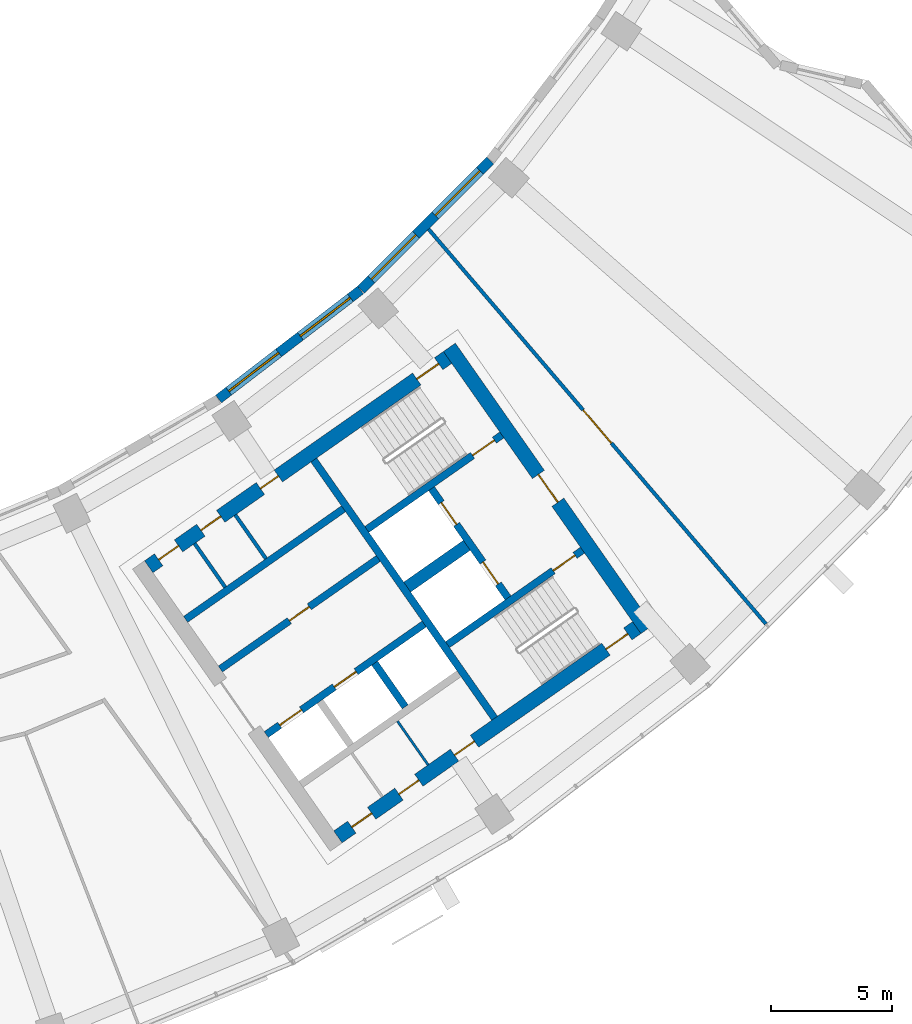
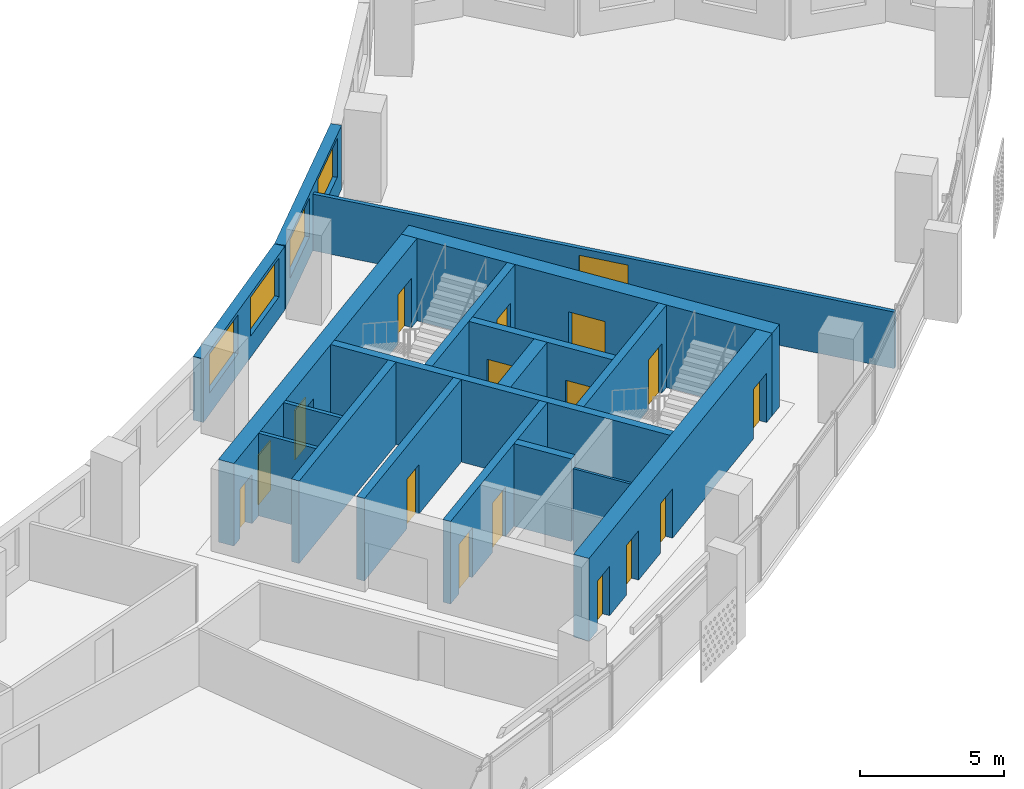
# One storey, part 7 of 26: 18 walls, 17 doors, 4 windows, 21 openings.
"""IFC4 building model written with IfcOpenShell, lengths in metres."""

from ifc_helpers import new_model, si_unit, direction, frame, frame_2d, origin, place, context, subcontext, project, spatial, rectangle, extrude, material, layer, layer_set, type_object, element, fill, save


model = new_model("IFC4")

# Units and contexts
model_context = context("Model", 3, precision=1e-05, world=origin(), true_north=direction((0.0, 1.0)))
body_context = subcontext(model_context, "Body", "Model", "MODEL_VIEW")
ifc_project = project(units=[si_unit("LENGTHUNIT", "METRE"), si_unit("AREAUNIT", "SQUARE_METRE"), si_unit("VOLUMEUNIT", "CUBIC_METRE"), si_unit("PLANEANGLEUNIT", "RADIAN"), si_unit("MASSUNIT", "GRAM", prefix="KILO")], contexts=[model_context])

# Site, building, storey
site_placement = place(None, origin())
site = spatial("IfcSite", under=ifc_project, at=site_placement, CompositionType="ELEMENT")
building_placement = place(site_placement, origin())
building = spatial("IfcBuilding", under=site, at=building_placement, Name="Qamariyya Broadcast Tower", CompositionType="ELEMENT")
storey_placement = place(building_placement, frame((0.0, 0.0, 183.5)))
storey = spatial("IfcBuildingStorey", under=building, at=storey_placement, Name="L43", CompositionType="ELEMENT", Elevation=183.5)

# Wall, opening, door
ifc_material_1 = material(Name="Concrete C60/75", Category="concrete")
ifc_layer_1 = layer(ifc_material_1, 0.60009765625)
ifc_layer_set_1 = layer_set([ifc_layer_1], Name="Core wall 600 mm Concrete C60/75")
wall_type_1 = type_object("IfcWallType", Name="Core wall 600 mm Concrete C60/75", PredefinedType="SHEAR", material=ifc_layer_set_1)
wall_1_placement = place(storey_placement, frame((49.4833984375, -57.031494140625, 0.0), z_axis=(0.0, 0.0, 1.0), x_axis=(-0.573560421458, 0.819163257805, 0.0)))
wall_1 = element("IfcWall", 1, at=wall_1_placement, inside=storey, type_object=wall_type_1, Name="k-E-L43-WH", PredefinedType="SHEAR", context=body_context, shape_type="SweptSolid", body=[
    extrude(rectangle(XDim=14.199951171875, YDim=0.60009765625, at=frame_2d((7.10009765625, 0.0))), origin(), (0.0, 0.0, 1.0), 3.5),
])
opening_1_placement = place(wall_1_placement, frame((6.39990234375, 0.0, 0.0)))
opening_1 = element("IfcOpeningElement", 2, at=opening_1_placement, cuts=wall_1, Name="Opening KD2-E1", PredefinedType="OPENING", context=body_context, shape_type="SweptSolid", body=[
    extrude(rectangle(XDim=1.39990234375, YDim=2.10009765625, at=frame_2d((0.699951171875, 1.050048828125))), frame((0.0, 0.31005859375, 0.0), z_axis=(0.0, -1.0, 0.0), x_axis=(1.0, 0.0, 0.0)), (0.0, 0.0, 1.0), 0.6201171875),
])
ifc_material_2 = material(Name="Steel fire-resisting door leaf", Category="steel")
door_type_1 = type_object("IfcDoorType", Name="Fire-fighting lobby door KD2", OperationType="DOUBLE_DOOR_SINGLE_SWING", PredefinedType="DOOR", material=ifc_material_2)
door_1_placement = place(opening_1_placement, origin())
door_1 = element("IfcDoor", 3, at=door_1_placement, inside=storey, type_object=door_type_1, Name="k-E-L43-WH-D13", OperationType="DOUBLE_DOOR_SINGLE_SWING", OverallHeight=2.10009765625, OverallWidth=1.39990234375, PredefinedType="DOOR", context=body_context, shape_type="SweptSolid", body=[
    extrude(rectangle(XDim=1.39990234375, YDim=2.10009765625, at=frame_2d((0.699951171875, 1.050048828125))), frame((0.0, 0.02490234375, 0.0), z_axis=(0.0, -1.0, 0.0), x_axis=(1.0, 0.0, 0.0)), (0.0, 0.0, 1.0), 0.050048828125),
])
fill(opening_1, door_1)

# Wall, openings, doors
wall_2_placement = place(storey_placement, frame((28.940673828125, -54.447021484375, 0.0), z_axis=(0.0, 0.0, 1.0), x_axis=(0.819153391756, 0.573574511963, 0.0)))
wall_2 = element("IfcWall", 4, at=wall_2_placement, inside=storey, type_object=wall_type_1, Name="k-E-L43-WI", PredefinedType="SHEAR", context=body_context, shape_type="SweptSolid", body=[
    extrude(rectangle(XDim=15.04541015625, YDim=0.60009765625, at=frame_2d((7.522705078125, 0.0))), origin(), (0.0, 0.0, 1.0), 3.5),
])
opening_2_placement = place(wall_2_placement, frame((0.5, 0.0, 0.0)))
opening_2 = element("IfcOpeningElement", 5, at=opening_2_placement, cuts=wall_2, Name="Opening KD6-E2", PredefinedType="OPENING", context=body_context, shape_type="SweptSolid", body=[
    extrude(rectangle(XDim=1.0, YDim=2.10009765625, at=frame_2d((0.5, 1.050048828125))), frame((0.0, 0.31005859375, 0.0), z_axis=(0.0, -1.0, 0.0), x_axis=(1.0, 0.0, 0.0)), (0.0, 0.0, 1.0), 0.6201171875),
])
opening_3_placement = place(wall_2_placement, frame((2.625, 0.0, 0.0)))
opening_3 = element("IfcOpeningElement", 6, at=opening_3_placement, cuts=wall_2, Name="Opening KD7-E1", PredefinedType="OPENING", context=body_context, shape_type="SweptSolid", body=[
    extrude(rectangle(XDim=1.0, YDim=2.10009765625, at=frame_2d((0.5, 1.050048828125))), frame((0.0, 0.31005859375, 0.0), z_axis=(0.0, -1.0, 0.0), x_axis=(1.0, 0.0, 0.0)), (0.0, 0.0, 1.0), 0.6201171875),
])
opening_4_placement = place(wall_2_placement, frame((5.625, 0.0, 0.0)))
opening_4 = element("IfcOpeningElement", 7, at=opening_4_placement, cuts=wall_2, Name="Opening KD5-E1", PredefinedType="OPENING", context=body_context, shape_type="SweptSolid", body=[
    extrude(rectangle(XDim=0.89990234375, YDim=2.10009765625, at=frame_2d((0.449951171875, 1.050048828125))), frame((0.0, 0.31005859375, 0.0), z_axis=(0.0, -1.0, 0.0), x_axis=(1.0, 0.0, 0.0)), (0.0, 0.0, 1.0), 0.6201171875),
])
opening_5_placement = place(wall_2_placement, frame((13.495361328125, 0.0, 0.0)))
opening_5 = element("IfcOpeningElement", 8, at=opening_5_placement, cuts=wall_2, Name="Opening KD1-E1", PredefinedType="OPENING", context=body_context, shape_type="SweptSolid", body=[
    extrude(rectangle(XDim=1.10009765625, YDim=2.10009765625, at=frame_2d((0.550048828125, 1.050048828125))), frame((0.0, 0.31005859375, 0.0), z_axis=(0.0, -1.0, 0.0), x_axis=(1.0, 0.0, 0.0)), (0.0, 0.0, 1.0), 0.6201171875),
])
door_type_2 = type_object("IfcDoorType", Name="Accessible toilet door KD7", OperationType="SINGLE_SWING_LEFT", PredefinedType="DOOR", material=ifc_material_2)
door_2_placement = place(opening_3_placement, origin())
door_2 = element("IfcDoor", 9, at=door_2_placement, inside=storey, type_object=door_type_2, Name="k-E-L43-WI-D6", OperationType="SINGLE_SWING_RIGHT", OverallHeight=2.10009765625, OverallWidth=1.0, PredefinedType="DOOR", context=body_context, shape_type="SweptSolid", body=[
    extrude(rectangle(XDim=1.0, YDim=2.10009765625, at=frame_2d((0.5, 1.050048828125))), frame((0.0, 0.02490234375, 0.0), z_axis=(0.0, -1.0, 0.0), x_axis=(1.0, 0.0, 0.0)), (0.0, 0.0, 1.0), 0.050048828125),
])
fill(opening_3, door_2)
door_type_3 = type_object("IfcDoorType", Name="Core room door KD6", OperationType="SINGLE_SWING_LEFT", PredefinedType="DOOR", material=ifc_material_2)
door_3_placement = place(opening_2_placement, origin())
door_3 = element("IfcDoor", 10, at=door_3_placement, inside=storey, type_object=door_type_3, Name="k-E-L43-WI-D5", OperationType="SINGLE_SWING_LEFT", OverallHeight=2.10009765625, OverallWidth=1.0, PredefinedType="DOOR", context=body_context, shape_type="SweptSolid", body=[
    extrude(rectangle(XDim=1.0, YDim=2.10009765625, at=frame_2d((0.5, 1.050048828125))), frame((0.0, 0.02490234375, 0.0), z_axis=(0.0, -1.0, 0.0), x_axis=(1.0, 0.0, 0.0)), (0.0, 0.0, 1.0), 0.050048828125),
])
fill(opening_2, door_3)
door_type_4 = type_object("IfcDoorType", Name="Stair door KD1", OperationType="SINGLE_SWING_LEFT", PredefinedType="DOOR", material=ifc_material_2)
door_4_placement = place(opening_5_placement, origin())
door_4 = element("IfcDoor", 11, at=door_4_placement, inside=storey, type_object=door_type_4, Name="k-E-L43-WI-D14", OperationType="SINGLE_SWING_RIGHT", OverallHeight=2.10009765625, OverallWidth=1.10009765625, PredefinedType="DOOR", context=body_context, shape_type="SweptSolid", body=[
    extrude(rectangle(XDim=1.10009765625, YDim=2.10009765625, at=frame_2d((0.550048828125, 1.050048828125))), frame((0.0, 0.02490234375, 0.0), z_axis=(0.0, -1.0, 0.0), x_axis=(1.0, 0.0, 0.0)), (0.0, 0.0, 1.0), 0.050048828125),
])
fill(opening_5, door_4)
door_type_5 = type_object("IfcDoorType", Name="Toilet door KD5", OperationType="SINGLE_SWING_LEFT", PredefinedType="DOOR", material=ifc_material_2)
door_5_placement = place(opening_4_placement, origin())
door_5 = element("IfcDoor", 12, at=door_5_placement, inside=storey, type_object=door_type_5, Name="k-E-L43-WI-D7", OperationType="SINGLE_SWING_LEFT", OverallHeight=2.10009765625, OverallWidth=0.89990234375, PredefinedType="DOOR", context=body_context, shape_type="SweptSolid", body=[
    extrude(rectangle(XDim=0.89990234375, YDim=2.10009765625, at=frame_2d((0.449951171875, 1.050048828125))), frame((0.0, 0.02490234375, 0.0), z_axis=(0.0, -1.0, 0.0), x_axis=(1.0, 0.0, 0.0)), (0.0, 0.0, 1.0), 0.050048828125),
])
fill(opening_4, door_5)

wall_3_placement = place(storey_placement, frame((36.7412109375, -65.58740234375, 0.0), z_axis=(0.0, 0.0, 1.0), x_axis=(0.819153391756, 0.573574511963, 0.0)))
wall_3 = element("IfcWall", 13, at=wall_3_placement, inside=storey, type_object=wall_type_1, Name="k-E-L43-WO", PredefinedType="SHEAR", context=body_context, shape_type="SweptSolid", body=[
    extrude(rectangle(XDim=15.04541015625, YDim=0.60009765625, at=frame_2d((7.522705078125, 0.0))), origin(), (0.0, 0.0, 1.0), 3.5),
])
opening_6_placement = place(wall_3_placement, frame((0.699951171875, 0.0, 0.0)))
opening_6 = element("IfcOpeningElement", 14, at=opening_6_placement, cuts=wall_3, Name="Opening KD6-E3", PredefinedType="OPENING", context=body_context, shape_type="SweptSolid", body=[
    extrude(rectangle(XDim=1.0, YDim=2.10009765625, at=frame_2d((0.5, 1.050048828125))), frame((0.0, 0.31005859375, 0.0), z_axis=(0.0, -1.0, 0.0), x_axis=(1.0, 0.0, 0.0)), (0.0, 0.0, 1.0), 0.6201171875),
])
opening_7_placement = place(wall_3_placement, frame((3.074951171875, 0.0, 0.0)))
opening_7 = element("IfcOpeningElement", 15, at=opening_7_placement, cuts=wall_3, Name="Opening KD4-E1", PredefinedType="OPENING", context=body_context, shape_type="SweptSolid", body=[
    extrude(rectangle(XDim=1.0, YDim=2.10009765625, at=frame_2d((0.5, 1.050048828125))), frame((0.0, 0.31005859375, 0.0), z_axis=(0.0, -1.0, 0.0), x_axis=(1.0, 0.0, 0.0)), (0.0, 0.0, 1.0), 0.6201171875),
])
opening_8_placement = place(wall_3_placement, frame((5.875, 0.0, 0.0)))
opening_8 = element("IfcOpeningElement", 16, at=opening_8_placement, cuts=wall_3, Name="Opening KD4-E2", PredefinedType="OPENING", context=body_context, shape_type="SweptSolid", body=[
    extrude(rectangle(XDim=1.0, YDim=2.10009765625, at=frame_2d((0.5, 1.050048828125))), frame((0.0, 0.31005859375, 0.0), z_axis=(0.0, -1.0, 0.0), x_axis=(1.0, 0.0, 0.0)), (0.0, 0.0, 1.0), 0.6201171875),
])
opening_9_placement = place(wall_3_placement, frame((13.495361328125, 0.0, 0.0)))
opening_9 = element("IfcOpeningElement", 17, at=opening_9_placement, cuts=wall_3, Name="Opening KD1-E3", PredefinedType="OPENING", context=body_context, shape_type="SweptSolid", body=[
    extrude(rectangle(XDim=1.10009765625, YDim=2.10009765625, at=frame_2d((0.550048828125, 1.050048828125))), frame((0.0, 0.31005859375, 0.0), z_axis=(0.0, -1.0, 0.0), x_axis=(1.0, 0.0, 0.0)), (0.0, 0.0, 1.0), 0.6201171875),
])
door_6_placement = place(opening_6_placement, origin())
door_6 = element("IfcDoor", 18, at=door_6_placement, inside=storey, type_object=door_type_3, Name="k-E-L43-WO-D8", OperationType="SINGLE_SWING_RIGHT", OverallHeight=2.10009765625, OverallWidth=1.0, PredefinedType="DOOR", context=body_context, shape_type="SweptSolid", body=[
    extrude(rectangle(XDim=1.0, YDim=2.10009765625, at=frame_2d((0.5, 1.050048828125))), frame((0.0, 0.02490234375, 0.0), z_axis=(0.0, -1.0, 0.0), x_axis=(1.0, 0.0, 0.0)), (0.0, 0.0, 1.0), 0.050048828125),
])
fill(opening_6, door_6)
door_type_6 = type_object("IfcDoorType", Name="Riser and plant door KD4", OperationType="SINGLE_SWING_LEFT", PredefinedType="DOOR", material=ifc_material_2)
door_7_placement = place(opening_7_placement, origin())
door_7 = element("IfcDoor", 19, at=door_7_placement, inside=storey, type_object=door_type_6, Name="k-E-L43-WO-D9", OperationType="SINGLE_SWING_LEFT", OverallHeight=2.10009765625, OverallWidth=1.0, PredefinedType="DOOR", context=body_context, shape_type="SweptSolid", body=[
    extrude(rectangle(XDim=1.0, YDim=2.10009765625, at=frame_2d((0.5, 1.050048828125))), frame((0.0, 0.02490234375, 0.0), z_axis=(0.0, -1.0, 0.0), x_axis=(1.0, 0.0, 0.0)), (0.0, 0.0, 1.0), 0.050048828125),
])
fill(opening_7, door_7)
door_8_placement = place(opening_8_placement, origin())
door_8 = element("IfcDoor", 20, at=door_8_placement, inside=storey, type_object=door_type_6, Name="k-E-L43-WO-D10", OperationType="SINGLE_SWING_RIGHT", OverallHeight=2.10009765625, OverallWidth=1.0, PredefinedType="DOOR", context=body_context, shape_type="SweptSolid", body=[
    extrude(rectangle(XDim=1.0, YDim=2.10009765625, at=frame_2d((0.5, 1.050048828125))), frame((0.0, 0.02490234375, 0.0), z_axis=(0.0, -1.0, 0.0), x_axis=(1.0, 0.0, 0.0)), (0.0, 0.0, 1.0), 0.050048828125),
])
fill(opening_8, door_8)
door_9_placement = place(opening_9_placement, origin())
door_9 = element("IfcDoor", 21, at=door_9_placement, inside=storey, type_object=door_type_4, Name="k-E-L43-WO-D16", OperationType="SINGLE_SWING_LEFT", OverallHeight=2.10009765625, OverallWidth=1.10009765625, PredefinedType="DOOR", context=body_context, shape_type="SweptSolid", body=[
    extrude(rectangle(XDim=1.10009765625, YDim=2.10009765625, at=frame_2d((0.550048828125, 1.050048828125))), frame((0.0, 0.02490234375, 0.0), z_axis=(0.0, -1.0, 0.0), x_axis=(1.0, 0.0, 0.0)), (0.0, 0.0, 1.0), 0.050048828125),
])
fill(opening_9, door_9)

# Wall, opening, door
ifc_material_3 = material(Name="Gypsum board partition")
ifc_layer_2 = layer(ifc_material_3, 0.14990234375)
ifc_layer_set_2 = layer_set([ifc_layer_2], Name="Corridor partition 150 EI 60")
wall_type_2 = type_object("IfcWallType", Name="Corridor partition 150 EI 60", PredefinedType="PARTITIONING", material=ifc_layer_set_2)
wall_4_placement = place(storey_placement, frame((40.478759765625, -40.52294921875, 0.0), z_axis=(0.0, 0.0, 1.0), x_axis=(0.649633284071, -0.760247720303, 0.0)))
wall_4 = element("IfcWall", 22, at=wall_4_placement, inside=storey, type_object=wall_type_2, Name="Partition L43-034", PredefinedType="PARTITIONING", context=body_context, shape_type="SweptSolid", body=[
    extrude(rectangle(XDim=21.420166015625, YDim=0.14990234375, at=frame_2d((10.7099609375, 0.0))), origin(), (0.0, 0.0, 1.0), 2.39990234375),
])
opening_10_placement = place(wall_4_placement, frame((9.81005859375, 0.0, 0.0)))
opening_10 = element("IfcOpeningElement", 23, at=opening_10_placement, cuts=wall_4, Name="Opening L43-D17", PredefinedType="OPENING", context=body_context, shape_type="SweptSolid", body=[
    extrude(rectangle(XDim=1.800048828125, YDim=2.10009765625, at=frame_2d((0.89990234375, 1.050048828125))), frame((0.0, 0.0849609375, 0.0), z_axis=(0.0, -1.0, 0.0), x_axis=(1.0, 0.0, 0.0)), (0.0, 0.0, 1.0), 0.169921875),
])
ifc_material_4 = material(Name="Timber fire door leaf", Category="wood")
door_type_7 = type_object("IfcDoorType", Name="Double fire door 1800 x 2100 FD60", OperationType="NOTDEFINED", PredefinedType="DOOR", material=ifc_material_4)
door_10_placement = place(opening_10_placement, origin())
door_10 = element("IfcDoor", 24, at=door_10_placement, inside=storey, type_object=door_type_7, Name="Door L43-D17", OperationType="DOUBLE_DOOR_SINGLE_SWING", OverallHeight=2.10009765625, OverallWidth=1.800048828125, PredefinedType="DOOR", context=body_context, shape_type="SweptSolid", body=[
    extrude(rectangle(XDim=1.800048828125, YDim=2.10009765625, at=frame_2d((0.89990234375, 1.050048828125))), frame((0.0, 0.02490234375, 0.0), z_axis=(0.0, -1.0, 0.0), x_axis=(1.0, 0.0, 0.0)), (0.0, 0.0, 1.0), 0.050048828125),
])
fill(opening_10, door_10)

# Walls
ifc_layer_3 = layer(ifc_material_1, 0.5)
ifc_layer_set_3 = layer_set([ifc_layer_3], Name="Fire-fighting lobby divider wall 500 mm Concrete C60/75")
wall_type_3 = type_object("IfcWallType", Name="Fire-fighting lobby divider wall 500 mm Concrete C60/75", PredefinedType="SOLIDWALL", material=ifc_layer_set_3)
wall_5_placement = place(storey_placement, frame((39.59912109375, -55.28515625, 0.0), z_axis=(0.0, 0.0, 1.0), x_axis=(0.819136323161, 0.573598887793, 0.0)))
element("IfcWall", 25, at=wall_5_placement, inside=storey, type_object=wall_type_3, Name="k-E-L43-FD", PredefinedType="SOLIDWALL", context=body_context, shape_type="SweptSolid", body=[
    extrude(rectangle(XDim=2.999755859375, YDim=0.5, at=frame_2d((1.5, 0.0))), origin(), (0.0, 0.0, 1.0), 3.5),
])
ifc_material_5 = material(Name="Gypsum board partition on steel studs", Category="steel")
ifc_layer_4 = layer(ifc_material_5, 0.14990234375)
ifc_layer_set_4 = layer_set([ifc_layer_4], Name="Gypsum board partition 150 mm")
wall_type_4 = type_object("IfcWallType", Name="Gypsum board partition 150 mm", PredefinedType="PARTITIONING", material=ifc_layer_set_4)
wall_6_placement = place(storey_placement, frame((32.0947265625, -55.290283203125, 0.0), z_axis=(0.0, 0.0, 1.0), x_axis=(-0.573559170999, 0.819164133348, 0.0)))
element("IfcWall", 26, at=wall_6_placement, inside=storey, type_object=wall_type_4, Name="k-E-L43-NP210", PredefinedType="PARTITIONING", context=body_context, shape_type="SweptSolid", body=[
    extrude(rectangle(XDim=2.19970703125, YDim=0.14990234375, at=frame_2d((1.099853515625, 0.0))), origin(), (0.0, 0.0, 1.0), 3.5),
])
wall_7_placement = place(storey_placement, frame((33.774169921875, -54.114501953125, 0.0), z_axis=(0.0, 0.0, 1.0), x_axis=(-0.573581496053, 0.819148501424, 0.0)))
element("IfcWall", 27, at=wall_7_placement, inside=storey, type_object=wall_type_4, Name="k-E-L43-NP415", PredefinedType="PARTITIONING", context=body_context, shape_type="SweptSolid", body=[
    extrude(rectangle(XDim=2.2001953125, YDim=0.14990234375, at=frame_2d((1.10009765625, 0.0))), origin(), (0.0, 0.0, 1.0), 3.5),
])
ifc_layer_5 = layer(ifc_material_1, 0.300048828125)
ifc_layer_set_5 = layer_set([ifc_layer_5], Name="Lift shaft wall 300 mm Concrete C60/75")
wall_type_5 = type_object("IfcWallType", Name="Lift shaft wall 300 mm Concrete C60/75", PredefinedType="SOLIDWALL", material=ifc_layer_set_5)
wall_8_placement = place(storey_placement, frame((43.204345703125, -60.69580078125, 0.0), z_axis=(0.0, 0.0, 1.0), x_axis=(-0.573571992966, 0.819155155563, 0.0)))
element("IfcWall", 28, at=wall_8_placement, inside=storey, type_object=wall_type_5, Name="k-E-L43-WL", PredefinedType="SOLIDWALL", context=body_context, shape_type="SweptSolid", body=[
    extrude(rectangle(XDim=13.000244140625, YDim=0.300048828125, at=frame_2d((6.5, 0.0))), origin(), (0.0, 0.0, 1.0), 3.5),
])

# Wall, opening, door
wall_9_placement = place(storey_placement, frame((31.89453125, -58.66552734375, 0.0), z_axis=(0.0, 0.0, 1.0), x_axis=(0.819166993208, 0.573555086491, 0.0)))
wall_9 = element("IfcWall", 29, at=wall_9_placement, inside=storey, type_object=wall_type_5, Name="k-E-L43-NF0", PredefinedType="SOLIDWALL", context=body_context, shape_type="SweptSolid", body=[
    extrude(rectangle(XDim=7.9501953125, YDim=0.300048828125, at=frame_2d((3.97509765625, 0.0))), origin(), (0.0, 0.0, 1.0), 3.5),
])
opening_11_placement = place(wall_9_placement, frame((3.47509765625, 0.0, 0.0)))
opening_11 = element("IfcOpeningElement", 30, at=opening_11_placement, cuts=wall_9, Name="Opening KD6-E1", PredefinedType="OPENING", context=body_context, shape_type="SweptSolid", body=[
    extrude(rectangle(XDim=1.0, YDim=2.10009765625, at=frame_2d((0.5, 1.050048828125))), frame((0.0, 0.159912109375, 0.0), z_axis=(0.0, -1.0, 0.0), x_axis=(1.0, 0.0, 0.0)), (0.0, 0.0, 1.0), 0.320068359375),
])
door_11_placement = place(opening_11_placement, origin())
door_11 = element("IfcDoor", 31, at=door_11_placement, inside=storey, type_object=door_type_3, Name="k-E-L43-NF0-D2", OperationType="SINGLE_SWING_RIGHT", OverallHeight=2.10009765625, OverallWidth=1.0, PredefinedType="DOOR", context=body_context, shape_type="SweptSolid", body=[
    extrude(rectangle(XDim=1.0, YDim=2.10009765625, at=frame_2d((0.5, 1.050048828125))), frame((0.0, 0.02490234375, 0.0), z_axis=(0.0, -1.0, 0.0), x_axis=(1.0, 0.0, 0.0)), (0.0, 0.0, 1.0), 0.050048828125),
])
fill(opening_11, door_11)

# Wall
wall_10_placement = place(storey_placement, frame((30.460693359375, -56.61767578125, 0.0), z_axis=(0.0, 0.0, 1.0), x_axis=(0.819142461705, 0.573590121456, 0.0)))
element("IfcWall", 32, at=wall_10_placement, inside=storey, type_object=wall_type_5, Name="k-E-L43-NB0", PredefinedType="SOLIDWALL", context=body_context, shape_type="SweptSolid", body=[
    extrude(rectangle(XDim=7.949951171875, YDim=0.300048828125, at=frame_2d((3.97509765625, 0.0))), origin(), (0.0, 0.0, 1.0), 3.5),
])

# Wall, openings, doors
wall_11_placement = place(storey_placement, frame((33.787353515625, -61.368896484375, 0.0), z_axis=(0.0, 0.0, 1.0), x_axis=(0.819152564888, 0.573575692858, 0.0)))
wall_11 = element("IfcWall", 33, at=wall_11_placement, inside=storey, type_object=wall_type_5, Name="k-E-L43-SF0", PredefinedType="SOLIDWALL", context=body_context, shape_type="SweptSolid", body=[
    extrude(rectangle(XDim=7.9501953125, YDim=0.300048828125, at=frame_2d((3.97509765625, 0.0))), origin(), (0.0, 0.0, 1.0), 3.5),
])
opening_12_placement = place(wall_11_placement, frame((0.675048828125, 0.0, 0.0)))
opening_12 = element("IfcOpeningElement", 34, at=opening_12_placement, cuts=wall_11, Name="Opening LD", PredefinedType="OPENING", context=body_context, shape_type="SweptSolid", body=[
    extrude(rectangle(XDim=1.10009765625, YDim=2.10009765625, at=frame_2d((0.550048828125, 1.050048828125))), frame((0.0, 0.159912109375, 0.0), z_axis=(0.0, -1.0, 0.0), x_axis=(1.0, 0.0, 0.0)), (0.0, 0.0, 1.0), 0.320068359375),
])
opening_13_placement = place(wall_11_placement, frame((3.425048828125, 0.0, 0.0)))
opening_13 = element("IfcOpeningElement", 35, at=opening_13_placement, cuts=wall_11, Name="Opening LD", PredefinedType="OPENING", context=body_context, shape_type="SweptSolid", body=[
    extrude(rectangle(XDim=1.10009765625, YDim=2.10009765625, at=frame_2d((0.550048828125, 1.050048828125))), frame((0.0, 0.159912109375, 0.0), z_axis=(0.0, -1.0, 0.0), x_axis=(1.0, 0.0, 0.0)), (0.0, 0.0, 1.0), 0.320068359375),
])
door_type_8 = type_object("IfcDoorType", Name="Lift landing door LD", OperationType="DOUBLE_DOOR_SLIDING", PredefinedType="DOOR", material=ifc_material_2)
door_12_placement = place(opening_12_placement, origin())
door_12 = element("IfcDoor", 36, at=door_12_placement, inside=storey, type_object=door_type_8, Name="k-E-L43-SF0-D3", OperationType="DOUBLE_DOOR_SLIDING", OverallHeight=2.10009765625, OverallWidth=1.10009765625, PredefinedType="DOOR", context=body_context, shape_type="SweptSolid", body=[
    extrude(rectangle(XDim=1.10009765625, YDim=2.10009765625, at=frame_2d((0.550048828125, 1.050048828125))), frame((0.0, 0.02490234375, 0.0), z_axis=(0.0, -1.0, 0.0), x_axis=(1.0, 0.0, 0.0)), (0.0, 0.0, 1.0), 0.050048828125),
])
fill(opening_12, door_12)
door_13_placement = place(opening_13_placement, origin())
door_13 = element("IfcDoor", 37, at=door_13_placement, inside=storey, type_object=door_type_8, Name="k-E-L43-SF0-D4", OperationType="DOUBLE_DOOR_SLIDING", OverallHeight=2.10009765625, OverallWidth=1.10009765625, PredefinedType="DOOR", context=body_context, shape_type="SweptSolid", body=[
    extrude(rectangle(XDim=1.10009765625, YDim=2.10009765625, at=frame_2d((0.550048828125, 1.050048828125))), frame((0.0, 0.02490234375, 0.0), z_axis=(0.0, -1.0, 0.0), x_axis=(1.0, 0.0, 0.0)), (0.0, 0.0, 1.0), 0.050048828125),
])
fill(opening_13, door_13)

# Wall
wall_12_placement = place(storey_placement, frame((38.255859375, -58.423095703125, 0.0), z_axis=(0.0, 0.0, 1.0), x_axis=(0.573633636671, -0.819111989218, 0.0)))
element("IfcWall", 38, at=wall_12_placement, inside=storey, type_object=wall_type_5, Name="k-E-L43-SD1", PredefinedType="SOLIDWALL", context=body_context, shape_type="SweptSolid", body=[
    extrude(rectangle(XDim=2.199951171875, YDim=0.300048828125, at=frame_2d((1.10009765625, 0.0))), origin(), (0.0, 0.0, 1.0), 3.5),
])

# Wall, opening, door
wall_13_placement = place(storey_placement, frame((37.935546875, -52.90966796875, 0.0), z_axis=(0.0, 0.0, 1.0), x_axis=(0.819147518138, 0.57358290031, 0.0)))
wall_13 = element("IfcWall", 39, at=wall_13_placement, inside=storey, type_object=wall_type_5, Name="k-E-L43-NW", PredefinedType="SOLIDWALL", context=body_context, shape_type="SweptSolid", body=[
    extrude(rectangle(XDim=6.79541015625, YDim=0.300048828125, at=frame_2d((3.397705078125, 0.0))), origin(), (0.0, 0.0, 1.0), 3.5),
])
opening_14_placement = place(wall_13_placement, frame((5.3203125, 0.0, 0.0)))
opening_14 = element("IfcOpeningElement", 40, at=opening_14_placement, cuts=wall_13, Name="Opening KD1-E2", PredefinedType="OPENING", context=body_context, shape_type="SweptSolid", body=[
    extrude(rectangle(XDim=1.10009765625, YDim=2.10009765625, at=frame_2d((0.550048828125, 1.050048828125))), frame((0.0, 0.159912109375, 0.0), z_axis=(0.0, -1.0, 0.0), x_axis=(1.0, 0.0, 0.0)), (0.0, 0.0, 1.0), 0.320068359375),
])
door_14_placement = place(opening_14_placement, origin())
door_14 = element("IfcDoor", 41, at=door_14_placement, inside=storey, type_object=door_type_4, Name="k-E-L43-NW-D15", OperationType="SINGLE_SWING_LEFT", OverallHeight=2.10009765625, OverallWidth=1.10009765625, PredefinedType="DOOR", context=body_context, shape_type="SweptSolid", body=[
    extrude(rectangle(XDim=1.10009765625, YDim=2.10009765625, at=frame_2d((0.550048828125, 1.050048828125))), frame((0.0, 0.02490234375, 0.0), z_axis=(0.0, -1.0, 0.0), x_axis=(1.0, 0.0, 0.0)), (0.0, 0.0, 1.0), 0.050048828125),
])
fill(opening_14, door_14)

wall_14_placement = place(storey_placement, frame((41.262451171875, -57.66064453125, 0.0), z_axis=(0.0, 0.0, 1.0), x_axis=(0.819164398642, 0.573558792102, 0.0)))
wall_14 = element("IfcWall", 42, at=wall_14_placement, inside=storey, type_object=wall_type_5, Name="k-E-L43-SW", PredefinedType="SOLIDWALL", context=body_context, shape_type="SweptSolid", body=[
    extrude(rectangle(XDim=6.795166015625, YDim=0.300048828125, at=frame_2d((3.3974609375, 0.0))), origin(), (0.0, 0.0, 1.0), 3.5),
])
opening_15_placement = place(wall_14_placement, frame((5.3203125, 0.0, 0.0)))
opening_15 = element("IfcOpeningElement", 43, at=opening_15_placement, cuts=wall_14, Name="Opening KD1-E4", PredefinedType="OPENING", context=body_context, shape_type="SweptSolid", body=[
    extrude(rectangle(XDim=1.10009765625, YDim=2.10009765625, at=frame_2d((0.550048828125, 1.050048828125))), frame((0.0, 0.159912109375, 0.0), z_axis=(0.0, -1.0, 0.0), x_axis=(1.0, 0.0, 0.0)), (0.0, 0.0, 1.0), 0.320068359375),
])
door_15_placement = place(opening_15_placement, origin())
door_15 = element("IfcDoor", 44, at=door_15_placement, inside=storey, type_object=door_type_4, Name="k-E-L43-SW-D17", OperationType="SINGLE_SWING_LEFT", OverallHeight=2.10009765625, OverallWidth=1.10009765625, PredefinedType="DOOR", context=body_context, shape_type="SweptSolid", body=[
    extrude(rectangle(XDim=1.10009765625, YDim=2.10009765625, at=frame_2d((0.550048828125, 1.050048828125))), frame((0.0, 0.02490234375, 0.0), z_axis=(0.0, -1.0, 0.0), x_axis=(1.0, 0.0, 0.0)), (0.0, 0.0, 1.0), 0.050048828125),
])
fill(opening_15, door_15)

# Wall, openings, doors
wall_15_placement = place(storey_placement, frame((43.756591796875, -55.731201171875, 0.0), z_axis=(0.0, 0.0, 1.0), x_axis=(-0.573536818435, 0.819179783625, 0.0)))
wall_15 = element("IfcWall", 45, at=wall_15_placement, inside=storey, type_object=wall_type_5, Name="k-E-L43-FF", PredefinedType="SOLIDWALL", context=body_context, shape_type="SweptSolid", body=[
    extrude(rectangle(XDim=5.500244140625, YDim=0.300048828125, at=frame_2d((2.75, 0.0))), origin(), (0.0, 0.0, 1.0), 3.5),
])
opening_16_placement = place(wall_15_placement, frame((0.699951171875, 0.0, 0.0)))
opening_16 = element("IfcOpeningElement", 46, at=opening_16_placement, cuts=wall_15, Name="Opening LD", PredefinedType="OPENING", context=body_context, shape_type="SweptSolid", body=[
    extrude(rectangle(XDim=1.10009765625, YDim=2.10009765625, at=frame_2d((0.550048828125, 1.050048828125))), frame((0.0, 0.159912109375, 0.0), z_axis=(0.0, -1.0, 0.0), x_axis=(1.0, 0.0, 0.0)), (0.0, 0.0, 1.0), 0.320068359375),
])
opening_17_placement = place(wall_15_placement, frame((3.699951171875, 0.0, 0.0)))
opening_17 = element("IfcOpeningElement", 47, at=opening_17_placement, cuts=wall_15, Name="Opening LD", PredefinedType="OPENING", context=body_context, shape_type="SweptSolid", body=[
    extrude(rectangle(XDim=1.10009765625, YDim=2.10009765625, at=frame_2d((0.550048828125, 1.050048828125))), frame((0.0, 0.159912109375, 0.0), z_axis=(0.0, -1.0, 0.0), x_axis=(1.0, 0.0, 0.0)), (0.0, 0.0, 1.0), 0.320068359375),
])
door_16_placement = place(opening_16_placement, origin())
door_16 = element("IfcDoor", 48, at=door_16_placement, inside=storey, type_object=door_type_8, Name="k-E-L43-FF-D11", OperationType="DOUBLE_DOOR_SLIDING", OverallHeight=2.10009765625, OverallWidth=1.10009765625, PredefinedType="DOOR", context=body_context, shape_type="SweptSolid", body=[
    extrude(rectangle(XDim=1.10009765625, YDim=2.10009765625, at=frame_2d((0.550048828125, 1.050048828125))), frame((0.0, 0.02490234375, 0.0), z_axis=(0.0, -1.0, 0.0), x_axis=(1.0, 0.0, 0.0)), (0.0, 0.0, 1.0), 0.050048828125),
])
fill(opening_16, door_16)
door_17_placement = place(opening_17_placement, origin())
door_17 = element("IfcDoor", 49, at=door_17_placement, inside=storey, type_object=door_type_8, Name="k-E-L43-FF-D12", OperationType="DOUBLE_DOOR_SLIDING", OverallHeight=2.10009765625, OverallWidth=1.10009765625, PredefinedType="DOOR", context=body_context, shape_type="SweptSolid", body=[
    extrude(rectangle(XDim=1.10009765625, YDim=2.10009765625, at=frame_2d((0.550048828125, 1.050048828125))), frame((0.0, 0.02490234375, 0.0), z_axis=(0.0, -1.0, 0.0), x_axis=(1.0, 0.0, 0.0)), (0.0, 0.0, 1.0), 0.050048828125),
])
fill(opening_17, door_17)

# Wall
ifc_material_6 = material(Name="Fire-rated gypsum shaft liner on steel studs", Category="steel")
ifc_layer_6 = layer(ifc_material_6, 0.10009765625)
ifc_layer_set_6 = layer_set([ifc_layer_6], Name="Riser wall 100 mm")
wall_type_6 = type_object("IfcWallType", Name="Riser wall 100 mm", PredefinedType="PLUMBINGWALL", material=ifc_layer_set_6)
wall_16_placement = place(storey_placement, frame((39.1982421875, -60.81494140625, 0.0), z_axis=(0.0, 0.0, 1.0), x_axis=(0.573581496053, -0.819148501424, 0.0)))
element("IfcWall", 50, at=wall_16_placement, inside=storey, type_object=wall_type_6, Name="k-E-L43-SP475", PredefinedType="PLUMBINGWALL", context=body_context, shape_type="SweptSolid", body=[
    extrude(rectangle(XDim=2.2001953125, YDim=0.10009765625, at=frame_2d((1.10009765625, 0.0))), origin(), (0.0, 0.0, 1.0), 3.5),
])

# Wall, openings, windows
ifc_material_7 = material(Name="Terracotta", Category="masonry")
ifc_layer_7 = layer(ifc_material_7, 0.39990234375)
ifc_layer_set_7 = layer_set([ifc_layer_7], Name="Terracotta clad wall 400")
wall_type_7 = type_object("IfcWallType", Name="Terracotta clad wall 400", PredefinedType="SOLIDWALL", material=ifc_layer_set_7)
wall_17_placement = place(storey_placement, frame((37.674560546875, -43.036376953125, 0.0), z_axis=(0.0, 0.0, 1.0), x_axis=(-0.79334647843, -0.608770371457, 0.0)))
wall_17 = element("IfcWall", 51, at=wall_17_placement, inside=storey, type_object=wall_type_7, Name="e-wl-L43-in120", PredefinedType="SOLIDWALL", context=body_context, shape_type="SweptSolid", body=[
    extrude(rectangle(XDim=7.380615234375, YDim=0.39990234375, at=frame_2d((3.6904296875, 0.0))), origin(), (0.0, 0.0, 1.0), 2.699951171875),
])
opening_18_placement = place(wall_17_placement, frame((4.25439453125, 0.0, 0.89990234375)))
opening_18 = element("IfcOpeningElement", 52, at=opening_18_placement, cuts=wall_17, Name="Opening W1", PredefinedType="OPENING", context=body_context, shape_type="SweptSolid", body=[
    extrude(rectangle(XDim=2.60009765625, YDim=1.64990234375, at=frame_2d((1.300048828125, 0.824951171875))), frame((0.0, 0.2099609375, 0.0), z_axis=(0.0, -1.0, 0.0), x_axis=(1.0, 0.0, 0.0)), (0.0, 0.0, 1.0), 0.419921875),
])
opening_19_placement = place(wall_17_placement, frame((0.5263671875, 0.0, 0.89990234375)))
opening_19 = element("IfcOpeningElement", 53, at=opening_19_placement, cuts=wall_17, Name="Opening W1", PredefinedType="OPENING", context=body_context, shape_type="SweptSolid", body=[
    extrude(rectangle(XDim=2.60009765625, YDim=1.64990234375, at=frame_2d((1.300048828125, 0.824951171875))), frame((0.0, 0.2099609375, 0.0), z_axis=(0.0, -1.0, 0.0), x_axis=(1.0, 0.0, 0.0)), (0.0, 0.0, 1.0), 0.419921875),
])
ifc_material_8 = material(Name="Clear low-e double glazed unit in aluminium frame", Category="aluminium")
window_type = type_object("IfcWindowType", Name="Ribbon window 2600 x 1650", PartitioningType="SINGLE_PANEL", PredefinedType="WINDOW", material=ifc_material_8)
window_1_placement = place(opening_18_placement, origin())
window_1 = element("IfcWindow", 54, at=window_1_placement, inside=storey, type_object=window_type, Name="e-w-L43-in12-0", OverallHeight=1.64990234375, OverallWidth=2.60009765625, PartitioningType="SINGLE_PANEL", PredefinedType="WINDOW", context=body_context, shape_type="SweptSolid", body=[
    extrude(rectangle(XDim=2.60009765625, YDim=1.64990234375, at=frame_2d((1.300048828125, 0.824951171875))), frame((0.0, 0.030029296875, 0.0), z_axis=(0.0, -1.0, 0.0), x_axis=(1.0, 0.0, 0.0)), (0.0, 0.0, 1.0), 0.06005859375),
])
fill(opening_18, window_1)
window_2_placement = place(opening_19_placement, origin())
window_2 = element("IfcWindow", 55, at=window_2_placement, inside=storey, type_object=window_type, Name="e-w-L43-in12-1", OverallHeight=1.64990234375, OverallWidth=2.60009765625, PartitioningType="SINGLE_PANEL", PredefinedType="WINDOW", context=body_context, shape_type="SweptSolid", body=[
    extrude(rectangle(XDim=2.60009765625, YDim=1.64990234375, at=frame_2d((1.300048828125, 0.824951171875))), frame((0.0, 0.030029296875, 0.0), z_axis=(0.0, -1.0, 0.0), x_axis=(1.0, 0.0, 0.0)), (0.0, 0.0, 1.0), 0.06005859375),
])
fill(opening_19, window_2)

wall_18_placement = place(storey_placement, frame((43.023193359375, -37.697265625, 0.0), z_axis=(0.0, 0.0, 1.0), x_axis=(-0.707106781187, -0.707106781187, 0.0)))
wall_18 = element("IfcWall", 56, at=wall_18_placement, inside=storey, type_object=wall_type_7, Name="e-wl-L43-in130", PredefinedType="SOLIDWALL", context=body_context, shape_type="SweptSolid", body=[
    extrude(rectangle(XDim=7.531982421875, YDim=0.39990234375, at=frame_2d((3.76611328125, 0.0))), origin(), (0.0, 0.0, 1.0), 2.699951171875),
])
opening_20_placement = place(wall_18_placement, frame((4.330078125, 0.0, 0.89990234375)))
opening_20 = element("IfcOpeningElement", 57, at=opening_20_placement, cuts=wall_18, Name="Opening W1", PredefinedType="OPENING", context=body_context, shape_type="SweptSolid", body=[
    extrude(rectangle(XDim=2.60009765625, YDim=1.64990234375, at=frame_2d((1.300048828125, 0.824951171875))), frame((0.0, 0.2099609375, 0.0), z_axis=(0.0, -1.0, 0.0), x_axis=(1.0, 0.0, 0.0)), (0.0, 0.0, 1.0), 0.419921875),
])
opening_21_placement = place(wall_18_placement, frame((0.60205078125, 0.0, 0.89990234375)))
opening_21 = element("IfcOpeningElement", 58, at=opening_21_placement, cuts=wall_18, Name="Opening W1", PredefinedType="OPENING", context=body_context, shape_type="SweptSolid", body=[
    extrude(rectangle(XDim=2.60009765625, YDim=1.64990234375, at=frame_2d((1.300048828125, 0.824951171875))), frame((0.0, 0.2099609375, 0.0), z_axis=(0.0, -1.0, 0.0), x_axis=(1.0, 0.0, 0.0)), (0.0, 0.0, 1.0), 0.419921875),
])
window_3_placement = place(opening_20_placement, origin())
window_3 = element("IfcWindow", 59, at=window_3_placement, inside=storey, type_object=window_type, Name="e-w-L43-in13-0", OverallHeight=1.64990234375, OverallWidth=2.60009765625, PartitioningType="SINGLE_PANEL", PredefinedType="WINDOW", context=body_context, shape_type="SweptSolid", body=[
    extrude(rectangle(XDim=2.60009765625, YDim=1.64990234375, at=frame_2d((1.300048828125, 0.824951171875))), frame((0.0, 0.030029296875, 0.0), z_axis=(0.0, -1.0, 0.0), x_axis=(1.0, 0.0, 0.0)), (0.0, 0.0, 1.0), 0.06005859375),
])
fill(opening_20, window_3)
window_4_placement = place(opening_21_placement, origin())
window_4 = element("IfcWindow", 60, at=window_4_placement, inside=storey, type_object=window_type, Name="e-w-L43-in13-1", OverallHeight=1.64990234375, OverallWidth=2.60009765625, PartitioningType="SINGLE_PANEL", PredefinedType="WINDOW", context=body_context, shape_type="SweptSolid", body=[
    extrude(rectangle(XDim=2.60009765625, YDim=1.64990234375, at=frame_2d((1.300048828125, 0.824951171875))), frame((0.0, 0.030029296875, 0.0), z_axis=(0.0, -1.0, 0.0), x_axis=(1.0, 0.0, 0.0)), (0.0, 0.0, 1.0), 0.06005859375),
])
fill(opening_21, window_4)

save(model, "model.ifc")
